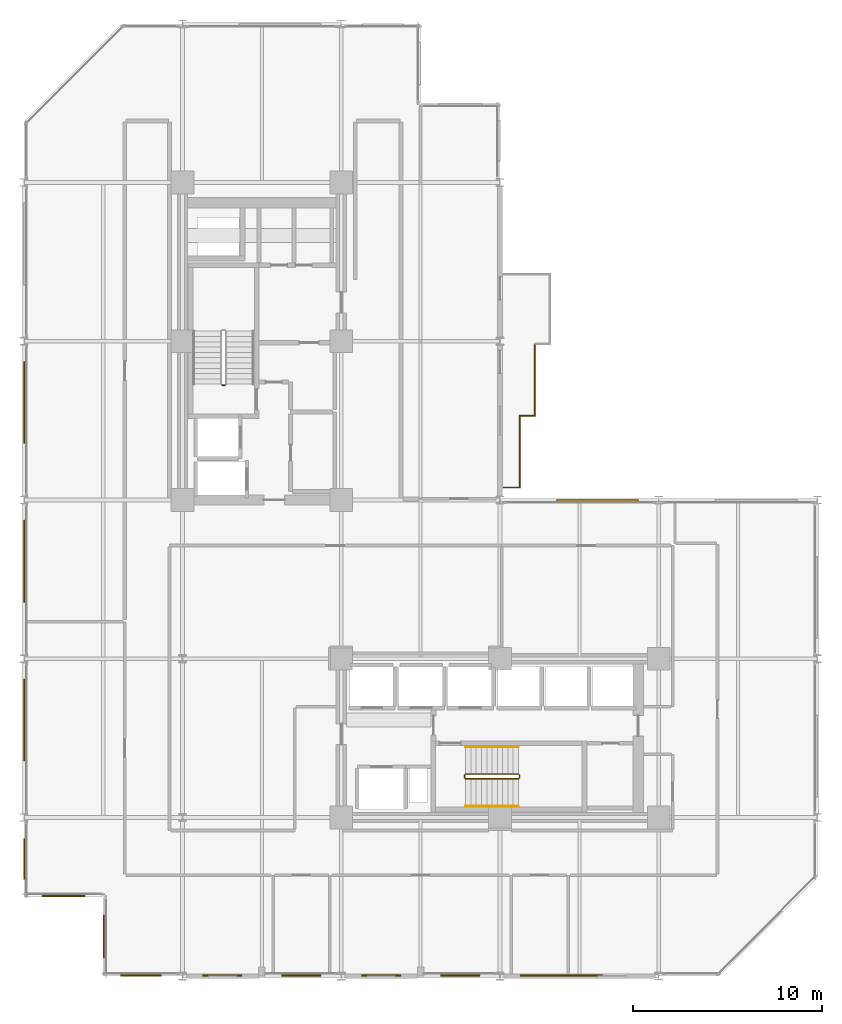
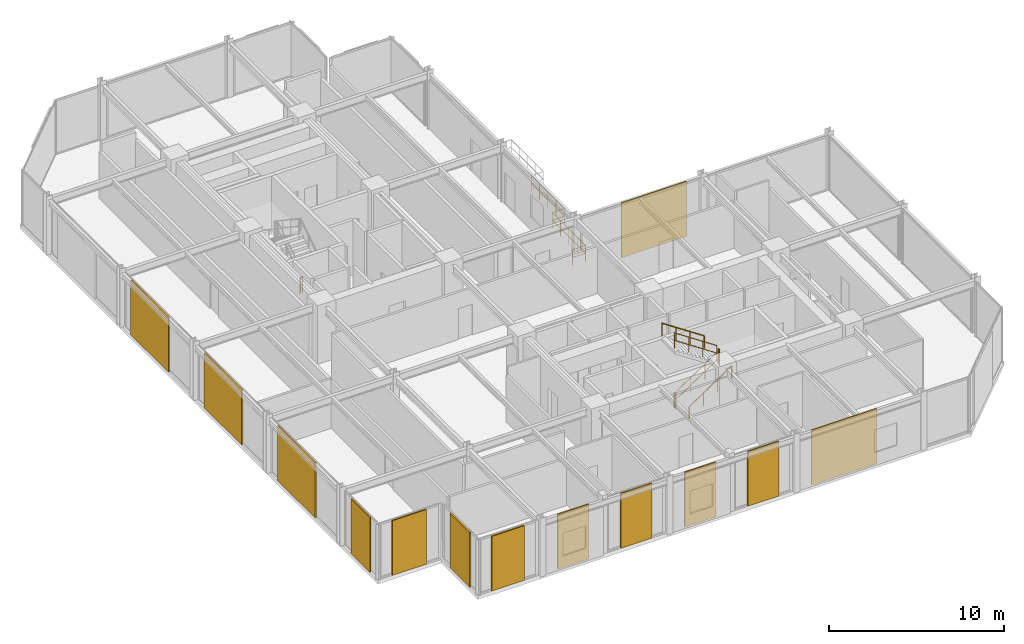
# One storey, part 27 of 29: 13 coverings, 11 railings.
"""IFC4 building model written with IfcOpenShell, lengths in metres."""

from ifc_helpers import new_model, si_unit, direction, frame, origin, origin_2d, place, context, subcontext, project, spatial, rectangle, circle, extrude, material, layer, layer_set, type_object, element, save


model = new_model("IFC4")

# Units and contexts
model_context = context("Model", 3, precision=1e-05, world=origin(), true_north=direction((0.0, 1.0)))
body_context = subcontext(model_context, "Body", "Model", "MODEL_VIEW")
ifc_project = project(units=[si_unit("LENGTHUNIT", "METRE"), si_unit("AREAUNIT", "SQUARE_METRE"), si_unit("VOLUMEUNIT", "CUBIC_METRE"), si_unit("PLANEANGLEUNIT", "RADIAN"), si_unit("MASSUNIT", "GRAM", prefix="KILO")], contexts=[model_context])

# Site, building, storey
site_placement = place(None, origin())
site = spatial("IfcSite", under=ifc_project, at=site_placement, CompositionType="ELEMENT")
building_placement = place(site_placement, origin())
building = spatial("IfcBuilding", under=site, at=building_placement, Name="Nerrivon Quay Data Exchange", CompositionType="ELEMENT")
storey_placement = place(building_placement, frame((0.0, 0.0, 121.300048828125)))
storey = spatial("IfcBuildingStorey", under=building, at=storey_placement, Name="L28", CompositionType="ELEMENT", Elevation=121.300048828125)

# Coverings
ifc_material_1 = material(Name="Architectural terracotta ceramic", Category="masonry")
ifc_layer = layer(ifc_material_1, 0.090087890625)
ifc_layer_set = layer_set([ifc_layer], Name="Architectural terracotta ceramic")
covering_type = type_object("IfcCoveringType", Name="COV-SCR-TERR", PredefinedType="CLADDING", material=ifc_layer_set)
covering_1_placement = place(storey_placement, frame((28.43994140625, 0.044921875, 0.0), z_axis=(0.0, 0.0, 1.0), x_axis=(-1.0, 0.0, 0.0)))
element("IfcCovering", 1, at=covering_1_placement, inside=storey, type_object=covering_type, Name="L28 Perforated Terracotta SOLAR SCREEN Cassette", PredefinedType="CLADDING", context=body_context, shape_type="SweptSolid", body=[
    extrude(rectangle(XDim=4.320068359375, YDim=0.090087890625, at=origin_2d()), origin(), (0.0, 0.0, 1.0), 3.824951171875),
])
for number, where, z_axis, x_axis, name in (
    (2, (23.08740234375, 0.044921875, 0.0), (0.0, 0.0, 1.0), (-1.0, 0.0, 0.0), "L28 Perforated Terracotta SOLAR SCREEN Cassette"),
    (3, (18.91259765625, 0.044921875, 0.0), (0.0, 0.0, 1.0), (-1.0, 0.0, 0.0), "L28 Perforated Terracotta SOLAR SCREEN Cassette"),
):
    element("IfcCovering", number, at=place(storey_placement, frame(where, z_axis=z_axis, x_axis=x_axis)), inside=storey, type_object=covering_type, Name=name, PredefinedType="CLADDING", context=body_context, shape_type="SweptSolid", body=[
        extrude(rectangle(XDim=2.06494140625, YDim=0.090087890625, at=origin_2d()), origin(), (0.0, 0.0, 1.0), 3.824951171875),
    ])
for number, where, z_axis, x_axis, name in (
    (4, (14.6875, 0.044921875, 0.0), (0.0, 0.0, 1.0), (-1.0, 0.0, 0.0), "L28 Perforated Terracotta SOLAR SCREEN Cassette"),
    (5, (10.512451171875, 0.044921875, 0.0), (0.0, 0.0, 1.0), (-1.0, 0.0, 0.0), "L28 Perforated Terracotta SOLAR SCREEN Cassette"),
):
    element("IfcCovering", number, at=place(storey_placement, frame(where, z_axis=z_axis, x_axis=x_axis)), inside=storey, type_object=covering_type, Name=name, PredefinedType="CLADDING", context=body_context, shape_type="SweptSolid", body=[
        extrude(rectangle(XDim=2.06591796875, YDim=0.090087890625, at=origin_2d()), origin(), (0.0, 0.0, 1.0), 3.824951171875),
    ])
covering_2_placement = place(storey_placement, frame((6.199951171875, 0.044921875, 0.0), z_axis=(0.0, 0.0, 1.0), x_axis=(-1.0, 0.0, 0.0)))
element("IfcCovering", 6, at=covering_2_placement, inside=storey, type_object=covering_type, Name="L28 Perforated Terracotta SOLAR SCREEN Cassette", PredefinedType="CLADDING", context=body_context, shape_type="SweptSolid", body=[
    extrude(rectangle(XDim=2.159912109375, YDim=0.090087890625, at=origin_2d()), origin(), (0.0, 0.0, 1.0), 3.824951171875),
])
for number, where, z_axis, x_axis, name in (
    (7, (4.2451171875, 2.10009765625, 0.0), (0.0, 0.0, 1.0), (0.0, 1.0, 0.0), "L28 Perforated Terracotta SOLAR SCREEN Cassette"),
    (8, (2.10009765625, 4.2451171875, 0.0), (0.0, 0.0, 1.0), (-1.0, 0.0, 0.0), "L28 Perforated Terracotta SOLAR SCREEN Cassette"),
):
    element("IfcCovering", number, at=place(storey_placement, frame(where, z_axis=z_axis, x_axis=x_axis)), inside=storey, type_object=covering_type, Name=name, PredefinedType="CLADDING", context=body_context, shape_type="SweptSolid", body=[
        extrude(rectangle(XDim=2.26806640625, YDim=0.090087890625, at=origin_2d()), origin(), (0.0, 0.0, 1.0), 3.824951171875),
    ])
covering_3_placement = place(storey_placement, frame((0.044921875, 6.199951171875, 0.0), z_axis=(0.0, 0.0, 1.0), x_axis=(0.0, 1.0, 0.0)))
element("IfcCovering", 9, at=covering_3_placement, inside=storey, type_object=covering_type, Name="L28 Perforated Terracotta SOLAR SCREEN Cassette", PredefinedType="CLADDING", context=body_context, shape_type="SweptSolid", body=[
    extrude(rectangle(XDim=2.159912109375, YDim=0.090087890625, at=origin_2d()), origin(), (0.0, 0.0, 1.0), 3.824951171875),
])
for number, where, z_axis, x_axis, name in (
    (10, (0.044921875, 13.56005859375, 0.0), (0.0, 0.0, 1.0), (0.0, 1.0, 0.0), "L28 Perforated Terracotta SOLAR SCREEN Cassette"),
    (11, (0.044921875, 21.9599609375, 0.0), (0.0, 0.0, 1.0), (0.0, 1.0, 0.0), "L28 Perforated Terracotta SOLAR SCREEN Cassette"),
    (12, (0.044921875, 30.360107421875, 0.0), (0.0, 0.0, 1.0), (0.0, 1.0, 0.0), "L28 Perforated Terracotta SOLAR SCREEN Cassette"),
    (13, (30.360107421875, 25.155029296875, 0.0), (0.0, 0.0, 1.0), (1.0, 0.0, 0.0), "L28 Perforated Terracotta SOLAR SCREEN Cassette"),
):
    element("IfcCovering", number, at=place(storey_placement, frame(where, z_axis=z_axis, x_axis=x_axis)), inside=storey, type_object=covering_type, Name=name, PredefinedType="CLADDING", context=body_context, shape_type="SweptSolid", body=[
        extrude(rectangle(XDim=4.320068359375, YDim=0.090087890625, at=origin_2d()), origin(), (0.0, 0.0, 1.0), 3.824951171875),
    ])

# Railings
ifc_material_2 = material(Name="Steel Grade C350L0 (350 MPa)", Category="steel")
railing_type_1 = type_object("IfcRailingType", Name="RAIL-GUARD-GR2", PredefinedType="BALUSTRADE", material=ifc_material_2)
railing_1_placement = place(storey_placement, frame((26.239990234375, 29.659912109375, 0.0)))
element("IfcRailing", 14, at=railing_1_placement, inside=storey, type_object=railing_type_1, Name="L28 Verandah Balcony Guard 1.1 1", PredefinedType="BALUSTRADE", context=body_context, shape_type="SweptSolid", body=[
    extrude(circle(Radius=0.02392578125, at=origin_2d()), frame((0.0, 0.0, 1.09619140625), z_axis=(0.0, -1.0, 0.0), x_axis=(1.0, 0.0, 0.0)), (0.0, 0.0, 1.0), 3.7998046875),
    extrude(circle(Radius=0.02392578125, at=origin_2d()), frame((0.0, 0.0, 0.56005859375), z_axis=(0.0, -1.0, 0.0), x_axis=(1.0, 0.0, 0.0)), (0.0, 0.0, 1.0), 3.7998046875),
    extrude(circle(Radius=0.02099609375, at=origin_2d()), origin(), (0.0, 0.0, 1.0), 1.072021484375),
    extrude(circle(Radius=0.02099609375, at=origin_2d()), frame((0.0, -0.949951171875, 0.0)), (0.0, 0.0, 1.0), 1.072021484375),
    extrude(circle(Radius=0.02099609375, at=origin_2d()), frame((0.0, -1.89990234375, 0.0)), (0.0, 0.0, 1.0), 1.072021484375),
    extrude(circle(Radius=0.02099609375, at=origin_2d()), frame((0.0, -2.849853515625, 0.0)), (0.0, 0.0, 1.0), 1.072021484375),
    extrude(circle(Radius=0.02099609375, at=origin_2d()), frame((0.0, -3.7998046875, 0.0)), (0.0, 0.0, 1.0), 1.072021484375),
])
railing_2_placement = place(storey_placement, frame((26.239990234375, 25.860107421875, 0.0)))
element("IfcRailing", 15, at=railing_2_placement, inside=storey, type_object=railing_type_1, Name="L28 Verandah Balcony Guard 1.2 1", PredefinedType="BALUSTRADE", context=body_context, shape_type="SweptSolid", body=[
    extrude(circle(Radius=0.02392578125, at=origin_2d()), frame((0.0, 0.0, 1.09619140625), z_axis=(-1.0, 0.0, 0.0), x_axis=(0.0, -1.0, 0.0)), (0.0, 0.0, 1.0), 0.860107421875),
    extrude(circle(Radius=0.02392578125, at=origin_2d()), frame((0.0, 0.0, 0.56005859375), z_axis=(-1.0, 0.0, 0.0), x_axis=(0.0, -1.0, 0.0)), (0.0, 0.0, 1.0), 0.860107421875),
    extrude(circle(Radius=0.02099609375, at=origin_2d()), origin(), (0.0, 0.0, 1.0), 1.072021484375),
    extrude(circle(Radius=0.02099609375, at=origin_2d()), frame((-0.860107421875, 0.0, 0.0)), (0.0, 0.0, 1.0), 1.072021484375),
])
railing_3_placement = place(storey_placement, frame((27.0400390625, 33.4599609375, 0.0)))
element("IfcRailing", 16, at=railing_3_placement, inside=storey, type_object=railing_type_1, Name="L28 Verandah Balcony Guard 1.6 1", PredefinedType="BALUSTRADE", context=body_context, shape_type="SweptSolid", body=[
    extrude(circle(Radius=0.02392578125, at=origin_2d()), frame((0.0, 0.0, 1.09619140625), z_axis=(0.0, -1.0, 0.0), x_axis=(1.0, 0.0, 0.0)), (0.0, 0.0, 1.0), 3.800048828125),
    extrude(circle(Radius=0.02392578125, at=origin_2d()), frame((0.0, 0.0, 0.56005859375), z_axis=(0.0, -1.0, 0.0), x_axis=(1.0, 0.0, 0.0)), (0.0, 0.0, 1.0), 3.800048828125),
    extrude(circle(Radius=0.02099609375, at=origin_2d()), origin(), (0.0, 0.0, 1.0), 1.072021484375),
    extrude(circle(Radius=0.02099609375, at=origin_2d()), frame((0.0, -0.949951171875, 0.0)), (0.0, 0.0, 1.0), 1.072021484375),
    extrude(circle(Radius=0.02099609375, at=origin_2d()), frame((0.0, -1.89990234375, 0.0)), (0.0, 0.0, 1.0), 1.072021484375),
    extrude(circle(Radius=0.02099609375, at=origin_2d()), frame((0.0, -2.85009765625, 0.0)), (0.0, 0.0, 1.0), 1.072021484375),
    extrude(circle(Radius=0.02099609375, at=origin_2d()), frame((0.0, -3.800048828125, 0.0)), (0.0, 0.0, 1.0), 1.072021484375),
])
railing_4_placement = place(storey_placement, frame((27.0400390625, 29.659912109375, 0.0)))
element("IfcRailing", 17, at=railing_4_placement, inside=storey, type_object=railing_type_1, Name="L28 Verandah Balcony Guard 1.7 1", PredefinedType="BALUSTRADE", context=body_context, shape_type="SweptSolid", body=[
    extrude(circle(Radius=0.02392578125, at=origin_2d()), frame((0.0, 0.0, 1.09619140625), z_axis=(-1.0, 0.0, 0.0), x_axis=(0.0, -1.0, 0.0)), (0.0, 0.0, 1.0), 0.800048828125),
    extrude(circle(Radius=0.02392578125, at=origin_2d()), frame((0.0, 0.0, 0.56005859375), z_axis=(-1.0, 0.0, 0.0), x_axis=(0.0, -1.0, 0.0)), (0.0, 0.0, 1.0), 0.800048828125),
    extrude(circle(Radius=0.02099609375, at=origin_2d()), origin(), (0.0, 0.0, 1.0), 1.072021484375),
    extrude(circle(Radius=0.02099609375, at=origin_2d()), frame((-0.800048828125, 0.0, 0.0)), (0.0, 0.0, 1.0), 1.072021484375),
])
railing_type_2 = type_object("IfcRailingType", Name="RAIL-HAND-HR1", PredefinedType="HANDRAIL", material=ifc_material_2)
railing_5_placement = place(storey_placement, frame((23.3798828125, 9.0, 0.186279296875)))
element("IfcRailing", 18, at=railing_5_placement, inside=storey, type_object=railing_type_2, Name="L28 ST02 stair handrail 1", PredefinedType="HANDRAIL", context=body_context, shape_type="SweptSolid", body=[
    extrude(circle(Radius=0.02392578125, at=origin_2d()), frame((0.0, 0.0, 0.8759765625), z_axis=(0.832452072856, 0.0, 0.554097055034), x_axis=(0.0, 1.0, 0.0)), (0.0, 0.0, 1.0), 3.363525390625),
    extrude(circle(Radius=0.02099609375, at=origin_2d()), origin(), (0.0, 0.0, 1.0), 0.851806640625),
    extrude(circle(Radius=0.02099609375, at=origin_2d()), frame((0.933349609375, 0.0, 0.621337890625)), (0.0, 0.0, 1.0), 0.851806640625),
    extrude(circle(Radius=0.02099609375, at=origin_2d()), frame((1.86669921875, 0.0, 1.242431640625)), (0.0, 0.0, 1.0), 0.851806640625),
    extrude(circle(Radius=0.02099609375, at=origin_2d()), frame((2.800048828125, 0.0, 1.86376953125)), (0.0, 0.0, 1.0), 0.851806640625),
])
railing_6_placement = place(storey_placement, frame((26.179931640625, 12.14990234375, 2.236328125)))
element("IfcRailing", 19, at=railing_6_placement, inside=storey, type_object=railing_type_2, Name="L28 ST02 stair handrail 2", PredefinedType="HANDRAIL", context=body_context, shape_type="SweptSolid", body=[
    extrude(circle(Radius=0.02392578125, at=origin_2d()), frame((0.0, 0.0, 0.8759765625), z_axis=(-0.832485552168, 0.0, 0.554046753832), x_axis=(0.0, -1.0, 0.0)), (0.0, 0.0, 1.0), 3.363525390625),
    extrude(circle(Radius=0.02099609375, at=origin_2d()), origin(), (0.0, 0.0, 1.0), 0.851806640625),
    extrude(circle(Radius=0.02099609375, at=origin_2d()), frame((-0.933349609375, 0.0, 0.62109375)), (0.0, 0.0, 1.0), 0.851806640625),
    extrude(circle(Radius=0.02099609375, at=origin_2d()), frame((-1.86669921875, 0.0, 1.242431640625)), (0.0, 0.0, 1.0), 0.851806640625),
    extrude(circle(Radius=0.02099609375, at=origin_2d()), frame((-2.800048828125, 0.0, 1.863525390625)), (0.0, 0.0, 1.0), 0.851806640625),
])
railing_type_3 = type_object("IfcRailingType", Name="RAIL-STAIR-GR1", PredefinedType="BALUSTRADE", material=ifc_material_2)
railing_7_placement = place(storey_placement, frame((10.64990234375, 31.280029296875, 0.0)))
element("IfcRailing", 20, at=railing_7_placement, inside=storey, type_object=railing_type_3, Name="L28 ST01 stair guard 4", PredefinedType="BALUSTRADE", context=body_context, shape_type="SweptSolid", body=[
    extrude(circle(Radius=0.02392578125, at=origin_2d()), frame((0.0, 0.0, 1.076171875), z_axis=(-1.0, 0.0, 0.0), x_axis=(0.0, -1.0, 0.0)), (0.0, 0.0, 1.0), 0.14990234375),
    extrude(circle(Radius=0.02392578125, at=origin_2d()), frame((0.0, 0.0, 0.550048828125), z_axis=(-1.0, 0.0, 0.0), x_axis=(0.0, -1.0, 0.0)), (0.0, 0.0, 1.0), 0.14990234375),
    extrude(circle(Radius=0.02099609375, at=origin_2d()), origin(), (0.0, 0.0, 1.0), 1.052001953125),
    extrude(circle(Radius=0.02099609375, at=origin_2d()), frame((-0.14990234375, 0.0, 0.0)), (0.0, 0.0, 1.0), 1.052001953125),
])
railing_8_placement = place(storey_placement, frame((23.3798828125, 10.449951171875, 0.186279296875)))
element("IfcRailing", 21, at=railing_8_placement, inside=storey, type_object=railing_type_3, Name="L28 ST02 stair guard 1", PredefinedType="BALUSTRADE", context=body_context, shape_type="SweptSolid", body=[
    extrude(circle(Radius=0.02392578125, at=origin_2d()), frame((0.0, 0.0, 1.076171875), z_axis=(0.832452072856, 0.0, 0.554097055034), x_axis=(0.0, 1.0, 0.0)), (0.0, 0.0, 1.0), 3.363525390625),
    extrude(circle(Radius=0.02392578125, at=origin_2d()), frame((0.0, 0.0, 0.550048828125), z_axis=(0.832452072856, 0.0, 0.554097055034), x_axis=(0.0, 1.0, 0.0)), (0.0, 0.0, 1.0), 3.363525390625),
    extrude(circle(Radius=0.02099609375, at=origin_2d()), origin(), (0.0, 0.0, 1.0), 1.052001953125),
    extrude(circle(Radius=0.02099609375, at=origin_2d()), frame((0.933349609375, 0.0, 0.621337890625)), (0.0, 0.0, 1.0), 1.052001953125),
    extrude(circle(Radius=0.02099609375, at=origin_2d()), frame((1.86669921875, 0.0, 1.242431640625)), (0.0, 0.0, 1.0), 1.052001953125),
    extrude(circle(Radius=0.02099609375, at=origin_2d()), frame((2.800048828125, 0.0, 1.86376953125)), (0.0, 0.0, 1.0), 1.052001953125),
])
railing_9_placement = place(storey_placement, frame((26.22998046875, 10.5, 2.050048828125)))
element("IfcRailing", 22, at=railing_9_placement, inside=storey, type_object=railing_type_3, Name="L28 ST02 stair guard 2", PredefinedType="BALUSTRADE", context=body_context, shape_type="SweptSolid", body=[
    extrude(circle(Radius=0.02392578125, at=origin_2d()), frame((0.0, 0.0, 1.076171875), z_axis=(0.0, 1.0, 0.0), x_axis=(-1.0, 0.0, 0.0)), (0.0, 0.0, 1.0), 0.14990234375),
    extrude(circle(Radius=0.02392578125, at=origin_2d()), frame((0.0, 0.0, 0.550048828125), z_axis=(0.0, 1.0, 0.0), x_axis=(-1.0, 0.0, 0.0)), (0.0, 0.0, 1.0), 0.14990234375),
    extrude(circle(Radius=0.02099609375, at=origin_2d()), origin(), (0.0, 0.0, 1.0), 1.052001953125),
    extrude(circle(Radius=0.02099609375, at=origin_2d()), frame((0.0, 0.14990234375, 0.0)), (0.0, 0.0, 1.0), 1.052001953125),
])
railing_10_placement = place(storey_placement, frame((26.179931640625, 10.699951171875, 2.236328125)))
element("IfcRailing", 23, at=railing_10_placement, inside=storey, type_object=railing_type_3, Name="L28 ST02 stair guard 3", PredefinedType="BALUSTRADE", context=body_context, shape_type="SweptSolid", body=[
    extrude(circle(Radius=0.02392578125, at=origin_2d()), frame((0.0, 0.0, 1.076171875), z_axis=(-0.832485552168, 0.0, 0.554046753832), x_axis=(0.0, -1.0, 0.0)), (0.0, 0.0, 1.0), 3.363525390625),
    extrude(circle(Radius=0.02392578125, at=origin_2d()), frame((0.0, 0.0, 0.550048828125), z_axis=(-0.832485552168, 0.0, 0.554046753832), x_axis=(0.0, -1.0, 0.0)), (0.0, 0.0, 1.0), 3.363525390625),
    extrude(circle(Radius=0.02099609375, at=origin_2d()), origin(), (0.0, 0.0, 1.0), 1.052001953125),
    extrude(circle(Radius=0.02099609375, at=origin_2d()), frame((-0.933349609375, 0.0, 0.62109375)), (0.0, 0.0, 1.0), 1.052001953125),
    extrude(circle(Radius=0.02099609375, at=origin_2d()), frame((-1.86669921875, 0.0, 1.242431640625)), (0.0, 0.0, 1.0), 1.052001953125),
    extrude(circle(Radius=0.02099609375, at=origin_2d()), frame((-2.800048828125, 0.0, 1.863525390625)), (0.0, 0.0, 1.0), 1.052001953125),
])
railing_11_placement = place(storey_placement, frame((23.330078125, 10.5, 0.0)))
element("IfcRailing", 24, at=railing_11_placement, inside=storey, type_object=railing_type_3, Name="L28 ST02 stair guard 4", PredefinedType="BALUSTRADE", context=body_context, shape_type="SweptSolid", body=[
    extrude(circle(Radius=0.02392578125, at=origin_2d()), frame((0.0, 0.0, 1.076171875), z_axis=(0.0, 1.0, 0.0), x_axis=(-1.0, 0.0, 0.0)), (0.0, 0.0, 1.0), 0.14990234375),
    extrude(circle(Radius=0.02392578125, at=origin_2d()), frame((0.0, 0.0, 0.550048828125), z_axis=(0.0, 1.0, 0.0), x_axis=(-1.0, 0.0, 0.0)), (0.0, 0.0, 1.0), 0.14990234375),
    extrude(circle(Radius=0.02099609375, at=origin_2d()), origin(), (0.0, 0.0, 1.0), 1.052001953125),
    extrude(circle(Radius=0.02099609375, at=origin_2d()), frame((0.0, 0.14990234375, 0.0)), (0.0, 0.0, 1.0), 1.052001953125),
])

save(model, "model.ifc")
